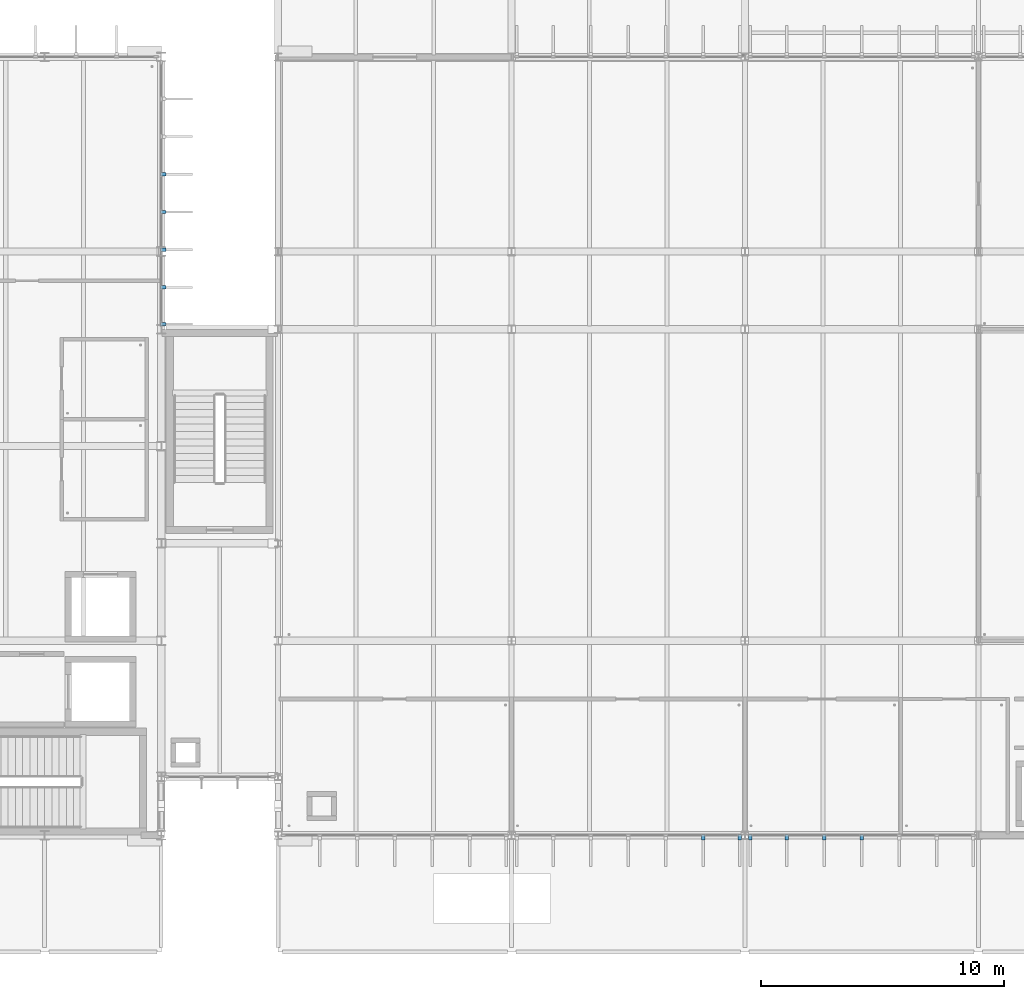
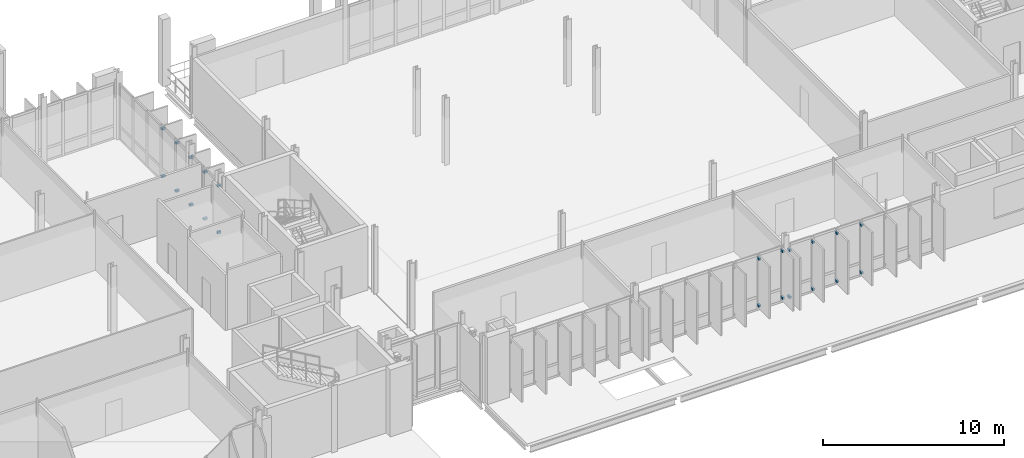
# One storey, part 91 of 107: 22 discrete accessories.
"""IFC4 building model written with IfcOpenShell, lengths in metres."""

import ifcopenshell
import ifcopenshell.guid

model = None  # the IFC model being written
_history = None  # IfcOwnerHistory: only IFC2X3 demands one
_inside = {}  # id of a spatial element -> (the spatial element, [elements in it])
_under = {}  # id of a project, library or spatial element -> (it, [spatial elements below it])
_declared = {}  # id of a project -> (the project, [libraries it declares])
_typed = {}  # id of a type object -> (the type object, [elements of that type])
_made_of = {}  # id of a material, layer set ... -> (it, [elements and type objects made of it])


def new_model(schema):
    """Start an empty IFC model of exactly this schema.

    Asked for "IFC4X3", IfcOpenShell would pick the latest addendum, in which some entities
    have other attributes; the version numbers below select the first issue.
    IFC2X3 requires an IfcOwnerHistory on every rooted entity: one is made here for all.
    """
    global model, _history
    if schema == "IFC4X3":
        model = ifcopenshell.file(schema_version=(4, 3, 0, 0))
    else:
        model = ifcopenshell.file(schema=schema)
    _inside.clear()
    _under.clear()
    _declared.clear()
    _typed.clear()
    _made_of.clear()
    _history = None
    if model.schema == "IFC2X3":
        org = make("IfcOrganization", Name="unknown")
        user = make(
            "IfcPersonAndOrganization",
            ThePerson=make("IfcPerson", FamilyName="unknown"),
            TheOrganization=org,
        )
        app = make(
            "IfcApplication",
            ApplicationDeveloper=org,
            Version="unknown",
            ApplicationFullName="unknown",
            ApplicationIdentifier="unknown",
        )
        _history = make(
            "IfcOwnerHistory",
            OwningUser=user,
            OwningApplication=app,
            ChangeAction="ADDED",
            CreationDate=0,
        )
    return model


def make(cls, **values):
    """One entity of the class cls with the attributes given. An attribute that is None is left unset."""
    return model.create_entity(
        cls, **{name: value for name, value in values.items() if value is not None}
    )


def rooted(cls, **values):
    """An entity with a GlobalId (a new one), such as an element, a storey or a relation."""
    return make(cls, GlobalId=ifcopenshell.guid.new(), OwnerHistory=_history, **values)


def si_unit(unit_type, name, prefix=None):
    """IfcSIUnit, for example si_unit("LENGTHUNIT", "METRE", prefix="MILLI")."""
    return make("IfcSIUnit", UnitType=unit_type, Prefix=prefix, Name=name)


def assignment(units):
    """IfcUnitAssignment: the units of a project."""
    return None if units is None else make("IfcUnitAssignment", Units=units)


def point(xyz):
    """IfcCartesianPoint."""
    return None if xyz is None else make("IfcCartesianPoint", Coordinates=xyz)


def direction(xyz):
    """IfcDirection."""
    return None if xyz is None else make("IfcDirection", DirectionRatios=xyz)


def frame(location, z_axis=None, x_axis=None):
    """IfcAxis2Placement3D, a coordinate frame: its origin and axes. An axis left out is left unset."""
    return make(
        "IfcAxis2Placement3D",
        Location=point(location),
        Axis=direction(z_axis),
        RefDirection=direction(x_axis),
    )


def frame_2d(location, x_axis=None):
    """IfcAxis2Placement2D, a coordinate frame in the plane: its origin and x axis."""
    return make(
        "IfcAxis2Placement2D", Location=point(location), RefDirection=direction(x_axis)
    )


def origin():
    """The frame at (0, 0, 0) with its axes left unset."""
    return frame((0.0, 0.0, 0.0))


def origin_2d():
    """The frame at (0, 0) in the plane with its x axis left unset."""
    return frame_2d((0.0, 0.0))


def place(relative_to, where):
    """IfcLocalPlacement: puts the frame where relative to a parent placement (None: the world)."""
    return make(
        "IfcLocalPlacement", PlacementRelTo=relative_to, RelativePlacement=where
    )


def context(
    kind, dimensions, precision=None, world=None, true_north=None, identifier=None
):
    """IfcGeometricRepresentationContext, for example the 3D "Model" context."""
    return make(
        "IfcGeometricRepresentationContext",
        ContextIdentifier=identifier,
        ContextType=kind,
        CoordinateSpaceDimension=dimensions,
        Precision=precision,
        WorldCoordinateSystem=world,
        TrueNorth=true_north,
    )


def subcontext(parent, identifier, kind, view, scale=None):
    """IfcGeometricRepresentationSubContext, for example "Body" below "Model"."""
    return make(
        "IfcGeometricRepresentationSubContext",
        ContextIdentifier=identifier,
        ContextType=kind,
        ParentContext=parent,
        TargetScale=scale,
        TargetView=view,
    )


def project(units=None, contexts=None):
    """IfcProject with its units and contexts."""
    return rooted(
        "IfcProject",
        Name="project",
        RepresentationContexts=contexts,
        UnitsInContext=assignment(units),
    )


def spatial(cls, under=None, at=None, **own):
    """A site, building, storey or space (cls), placed at a placement, below another one or the project."""
    s = rooted(cls, ObjectPlacement=at, **own)
    if under is not None:
        _under.setdefault(under.id(), (under, []))[1].append(s)
    return s


def profile(cls, at=None, kind="AREA", **sizes):
    """A parametric profile (cls). Its sizes go by their IFC names, for example OverallWidth=200.0."""
    return make(cls, ProfileType=kind, Position=at, **sizes)


def rectangle(**sizes):
    """IfcRectangleProfileDef."""
    return profile("IfcRectangleProfileDef", **sizes)


def extrude(swept, where, along, depth):
    """IfcExtrudedAreaSolid: the profile swept, set in the frame where, extruded along a direction by depth."""
    return make(
        "IfcExtrudedAreaSolid",
        SweptArea=swept,
        Position=where,
        ExtrudedDirection=direction(along),
        Depth=depth,
    )


def shape(context_of_items, identifier, shape_type, items):
    """IfcShapeRepresentation: the items that make up one representation, for example the "Body"."""
    return make(
        "IfcShapeRepresentation",
        ContextOfItems=context_of_items,
        RepresentationIdentifier=identifier,
        RepresentationType=shape_type,
        Items=items,
    )


def material(Name=None, Category=None):
    """IfcMaterial."""
    return make("IfcMaterial", Name=Name, Category=Category)


def made_of(thing, what):
    """Note that an element or type object is made of a material, layer set ...; save() writes the relation."""
    if what is not None:
        _made_of.setdefault(what.id(), (what, []))[1].append(thing)
    return thing


def type_object(cls, material=None, **own):
    """A type object (cls), such as IfcWallType, which elements share."""
    return made_of(rooted(cls, **own), material)


def element(
    cls,
    number,
    at=None,
    inside=None,
    cuts=None,
    type_object=None,
    material=None,
    context=None,
    identifier="Body",
    shape_type=None,
    held_by="IfcProductDefinitionShape",
    body=None,
    shapes=None,
    **own,
):
    """One element of the class cls, such as IfcWall. Its Tag is "e" and its number.

    at: its placement. inside: the storey or other place that contains it. cuts: it is an
    opening in that element (IfcRelVoidsElement). A single representation is given by context,
    identifier, shape_type and body (its items); several are given by shapes. held_by: the class
    of the entity that holds the representations. save() writes the other relations.
    """
    e = rooted(cls, Tag="e%d" % number, ObjectPlacement=at, **own)
    if body is not None:
        shapes = [shape(context, identifier, shape_type, body)]
    if shapes is not None:
        e.Representation = make(held_by, Representations=shapes)
    if inside is not None:
        _inside.setdefault(inside.id(), (inside, []))[1].append(e)
    if cuts is not None:
        rooted(
            "IfcRelVoidsElement", RelatingBuildingElement=cuts, RelatedOpeningElement=e
        )
    if type_object is not None:
        _typed.setdefault(type_object.id(), (type_object, []))[1].append(e)
    return made_of(e, material)


def aggregate(whole, parts):
    """IfcRelAggregates: a whole, such as a stair, and the parts it consists of."""
    return rooted("IfcRelAggregates", RelatingObject=whole, RelatedObjects=parts)


def save(model, path):
    """Write the relations noted so far, then the file.

    IfcRelAggregates (storeys below a building ...), IfcRelContainedInSpatialStructure (elements
    in a storey), IfcRelDefinesByType, IfcRelAssociatesMaterial and IfcRelDeclares: one each for
    every whole, place, type object, material and project.
    """
    for whole, parts in _under.values():
        aggregate(whole, parts)
    for where, things in _inside.values():
        rooted(
            "IfcRelContainedInSpatialStructure",
            RelatedElements=things,
            RelatingStructure=where,
        )
    for kind, things in _typed.values():
        rooted("IfcRelDefinesByType", RelatedObjects=things, RelatingType=kind)
    for what, things in _made_of.values():
        rooted("IfcRelAssociatesMaterial", RelatedObjects=things, RelatingMaterial=what)
    for by, libraries in _declared.values():
        rooted("IfcRelDeclares", RelatingContext=by, RelatedDefinitions=libraries)
    model.write(path)


model = new_model("IFC4")

# Units and contexts
model_context = context("Model", 3, precision=1e-05, world=origin(), true_north=direction((0.0, 1.0)))
body_context = subcontext(model_context, "Body", "Model", "MODEL_VIEW")
ifc_project = project(units=[si_unit("LENGTHUNIT", "METRE"), si_unit("AREAUNIT", "SQUARE_METRE"), si_unit("VOLUMEUNIT", "CUBIC_METRE"), si_unit("PLANEANGLEUNIT", "RADIAN"), si_unit("MASSUNIT", "GRAM", prefix="KILO")], contexts=[model_context])

# Site, building, storey
site_placement = place(None, origin())
site = spatial("IfcSite", under=ifc_project, at=site_placement, CompositionType="ELEMENT")
building_placement = place(site_placement, origin())
building = spatial("IfcBuilding", under=site, at=building_placement, Name="Dunescarp Central Library", CompositionType="ELEMENT")
storey_placement = place(building_placement, frame((0.0, 0.0, 5.10009765625)))
storey = spatial("IfcBuildingStorey", under=building, at=storey_placement, Name="L01", CompositionType="ELEMENT", Elevation=5.10009765625)

# Discrete accessories
ifc_material = material(Name="Stainless steel Grade 316L", Category="steel")
discrete_accessory_type = type_object("IfcDiscreteAccessoryType", Name="ARC-ACC-BRK", PredefinedType="BRACKET", material=ifc_material)
for number, where, z_axis, x_axis, name in (
    (1, (33.679931640625, 31.97509765625, 0.23291015625), (0.0, 0.0, 1.0), (1.0, 0.0, 0.0), "Fin bracket BRK-FIN-L01-0072-B"),
    (2, (33.679931640625, 31.97509765625, 3.43505859375), (0.0, 0.0, 1.0), (1.0, 0.0, 0.0), "Fin bracket BRK-FIN-L01-0072-T"),
    (3, (33.679931640625, 30.425048828125, 0.18994140625), (0.0, 0.0, 1.0), (1.0, 0.0, 0.0), "Fin bracket BRK-FIN-L01-0073-B"),
    (4, (33.679931640625, 30.425048828125, 3.423828125), (0.0, 0.0, 1.0), (1.0, 0.0, 0.0), "Fin bracket BRK-FIN-L01-0073-T"),
    (5, (33.679931640625, 28.875, 0.18994140625), (0.0, 0.0, 1.0), (1.0, 0.0, 0.0), "Fin bracket BRK-FIN-L01-0074-B"),
    (6, (33.679931640625, 28.875, 3.3740234375), (0.0, 0.0, 1.0), (1.0, 0.0, 0.0), "Fin bracket BRK-FIN-L01-0074-T"),
    (7, (33.679931640625, 27.324951171875, 0.18994140625), (0.0, 0.0, 1.0), (1.0, 0.0, 0.0), "Fin bracket BRK-FIN-L01-0075-B"),
    (8, (33.679931640625, 27.324951171875, 3.3408203125), (0.0, 0.0, 1.0), (1.0, 0.0, 0.0), "Fin bracket BRK-FIN-L01-0075-T"),
    (9, (33.679931640625, 25.81494140625, 0.18994140625), (0.0, 0.0, 1.0), (1.0, 0.0, 0.0), "Fin bracket BRK-FIN-L01-0076-B"),
    (10, (33.679931640625, 25.81494140625, 3.3369140625), (0.0, 0.0, 1.0), (1.0, 0.0, 0.0), "Fin bracket BRK-FIN-L01-0076-T"),
    (11, (57.385009765625, 4.719970703125, 0.27685546875), (0.0, 0.0, 1.0), (0.0, -1.0, 0.0), "Fin bracket BRK-FIN-L01-0344-B"),
    (12, (57.385009765625, 4.719970703125, 3.43505859375), (0.0, 0.0, 1.0), (0.0, -1.0, 0.0), "Fin bracket BRK-FIN-L01-0344-T"),
    (13, (55.883056640625, 4.719970703125, 0.2900390625), (0.0, 0.0, 1.0), (0.0, -1.0, 0.0), "Fin bracket BRK-FIN-L01-0345-B"),
    (14, (55.883056640625, 4.719970703125, 3.43505859375), (0.0, 0.0, 1.0), (0.0, -1.0, 0.0), "Fin bracket BRK-FIN-L01-0345-T"),
    (15, (62.39990234375, 4.719970703125, 0.23291015625), (0.0, 0.0, 1.0), (0.0, -1.0, 0.0), "Fin bracket BRK-FIN-L01-0354-B"),
    (16, (62.39990234375, 4.719970703125, 3.43505859375), (0.0, 0.0, 1.0), (0.0, -1.0, 0.0), "Fin bracket BRK-FIN-L01-0354-T"),
    (17, (60.85791015625, 4.719970703125, 0.18994140625), (0.0, 0.0, 1.0), (0.0, -1.0, 0.0), "Fin bracket BRK-FIN-L01-0355-B"),
    (18, (60.85791015625, 4.719970703125, 3.423828125), (0.0, 0.0, 1.0), (0.0, -1.0, 0.0), "Fin bracket BRK-FIN-L01-0355-T"),
    (19, (59.31689453125, 4.719970703125, 0.18994140625), (0.0, 0.0, 1.0), (0.0, -1.0, 0.0), "Fin bracket BRK-FIN-L01-0356-B"),
    (20, (59.31689453125, 4.719970703125, 3.3740234375), (0.0, 0.0, 1.0), (0.0, -1.0, 0.0), "Fin bracket BRK-FIN-L01-0356-T"),
    (21, (57.81494140625, 4.719970703125, 0.18994140625), (0.0, 0.0, 1.0), (0.0, -1.0, 0.0), "Fin bracket BRK-FIN-L01-0357-B"),
    (22, (57.81494140625, 4.719970703125, 3.3408203125), (0.0, 0.0, 1.0), (0.0, -1.0, 0.0), "Fin bracket BRK-FIN-L01-0357-T"),
):
    element("IfcDiscreteAccessory", number, at=place(storey_placement, frame(where, z_axis=z_axis, x_axis=x_axis)), inside=storey, type_object=discrete_accessory_type, Name=name, PredefinedType="BRACKET", context=body_context, shape_type="SweptSolid", body=[
        extrude(rectangle(XDim=0.219970703125, YDim=0.139892578125, at=origin_2d()), origin(), (0.0, 0.0, 1.0), 0.139892578125),
    ])

save(model, "model.ifc")
